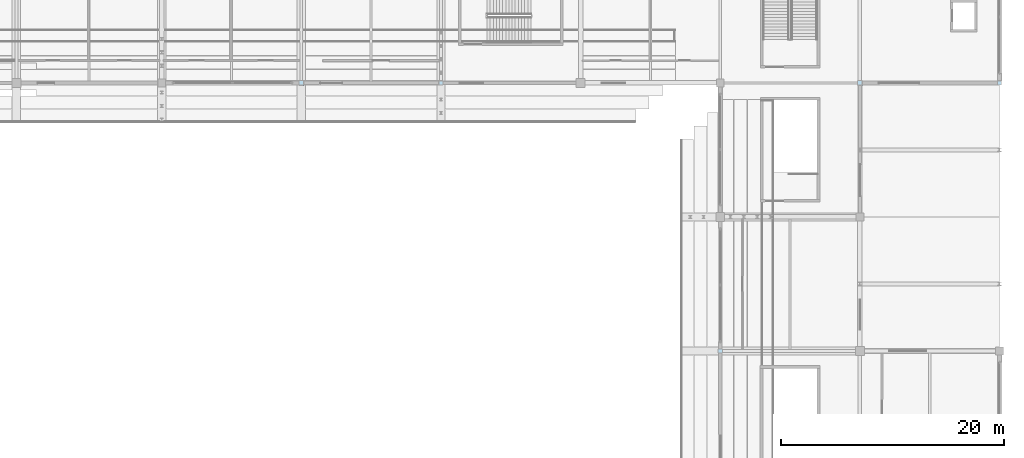
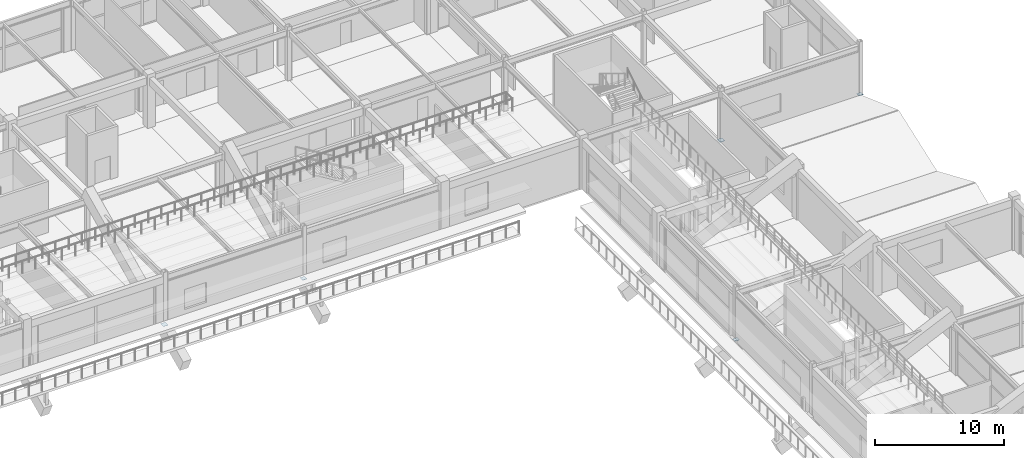
# One storey, part 81 of 128: 5 plates.
"""IFC4 building model written with IfcOpenShell, lengths in metres."""

from ifc_helpers import new_model, si_unit, direction, frame, origin, origin_2d, place, context, subcontext, project, spatial, rectangle, extrude, material, layer, layer_set, type_object, element, save


model = new_model("IFC4")

# Units and contexts
model_context = context("Model", 3, precision=1e-05, world=origin(), true_north=direction((0.0, 1.0)))
body_context = subcontext(model_context, "Body", "Model", "MODEL_VIEW")
ifc_project = project(units=[si_unit("LENGTHUNIT", "METRE"), si_unit("AREAUNIT", "SQUARE_METRE"), si_unit("VOLUMEUNIT", "CUBIC_METRE"), si_unit("PLANEANGLEUNIT", "RADIAN"), si_unit("MASSUNIT", "GRAM", prefix="KILO")], contexts=[model_context])

# Site, building, storey
site_placement = place(None, origin())
site = spatial("IfcSite", under=ifc_project, at=site_placement, CompositionType="ELEMENT")
building_placement = place(site_placement, origin())
building = spatial("IfcBuilding", under=site, at=building_placement, Name="Kazenohara Klinker Stadium", CompositionType="ELEMENT")
storey_placement = place(building_placement, frame((0.0, 0.0, 15.300048828125)))
storey = spatial("IfcBuildingStorey", under=building, at=storey_placement, Name="L03", CompositionType="ELEMENT", Elevation=15.300048828125)

# Plates
ifc_material = material(Name="Steel S355", Category="steel")
ifc_layer_1 = layer(ifc_material, 0.02392578125)
ifc_layer_set_1 = layer_set([ifc_layer_1], Name="Steel S355")
plate_type_1 = type_object("IfcPlateType", Name="PLT-GP03", PredefinedType="USERDEFINED", material=ifc_layer_set_1)
plate_1_placement = place(storey_placement, frame((137.5, 132.0, -0.011962890625), z_axis=(0.0, 0.0, 1.0), x_axis=(1.0, 0.0, 0.0)))
element("IfcPlate", 1, at=plate_1_placement, inside=storey, type_object=plate_type_1, Name="Hollow column end-cap plate GP03 L03 12/M", ObjectType="GUSSET PLATE", PredefinedType="USERDEFINED", context=body_context, shape_type="SweptSolid", body=[
    extrude(rectangle(XDim=0.43994140625, YDim=0.43994140625, at=origin_2d()), origin(), (0.0, 0.0, 1.0), 0.02392578125),
])
for number, where, z_axis, x_axis, name in (
    (2, (150.0, 132.0, -0.011962890625), (0.0, 0.0, 1.0), (1.0, 0.0, 0.0), "Hollow column end-cap plate GP03 L03 13/M"),
    (3, (175.0, 108.0, -0.011962890625), (0.0, 0.0, 1.0), (1.0, 0.0, 0.0), "Hollow column end-cap plate GP03 L03 15/K"),
):
    element("IfcPlate", number, at=place(storey_placement, frame(where, z_axis=z_axis, x_axis=x_axis)), inside=storey, type_object=plate_type_1, Name=name, ObjectType="GUSSET PLATE", PredefinedType="USERDEFINED", context=body_context, shape_type="SweptSolid", body=[
        extrude(rectangle(XDim=0.389892578125, YDim=0.389892578125, at=origin_2d()), origin(), (0.0, 0.0, 1.0), 0.02392578125),
    ])
ifc_layer_2 = layer(ifc_material, 0.02490234375)
ifc_layer_set_2 = layer_set([ifc_layer_2], Name="Steel S355")
plate_type_2 = type_object("IfcPlateType", Name="PLT-GP04", PredefinedType="USERDEFINED", material=ifc_layer_set_2)
plate_2_placement = place(storey_placement, frame((187.5, 132.0, -0.012451171875), z_axis=(0.0, 0.0, 1.0), x_axis=(1.0, 0.0, 0.0)))
element("IfcPlate", 4, at=plate_2_placement, inside=storey, type_object=plate_type_2, Name="Hollow column end-cap plate GP04 L03 16/M", ObjectType="GUSSET PLATE", PredefinedType="USERDEFINED", context=body_context, shape_type="SweptSolid", body=[
    extrude(rectangle(XDim=0.43994140625, YDim=0.43994140625, at=origin_2d()), origin(), (0.0, 0.0, 1.0), 0.02490234375),
])
plate_3_placement = place(storey_placement, frame((200.0, 132.0, -0.012451171875), z_axis=(0.0, 0.0, 1.0), x_axis=(1.0, 0.0, 0.0)))
element("IfcPlate", 5, at=plate_3_placement, inside=storey, type_object=plate_type_2, Name="Hollow column end-cap plate GP04 L03 17/M", ObjectType="GUSSET PLATE", PredefinedType="USERDEFINED", context=body_context, shape_type="SweptSolid", body=[
    extrude(rectangle(XDim=0.389892578125, YDim=0.389892578125, at=origin_2d()), origin(), (0.0, 0.0, 1.0), 0.02490234375),
])

save(model, "model.ifc")
